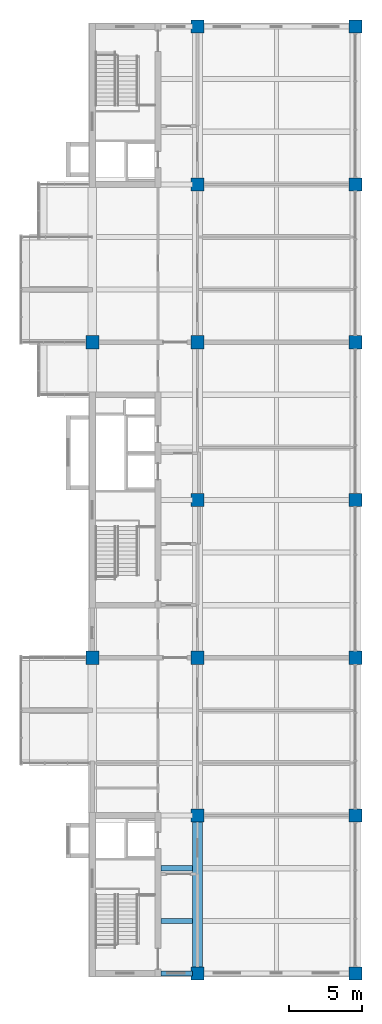
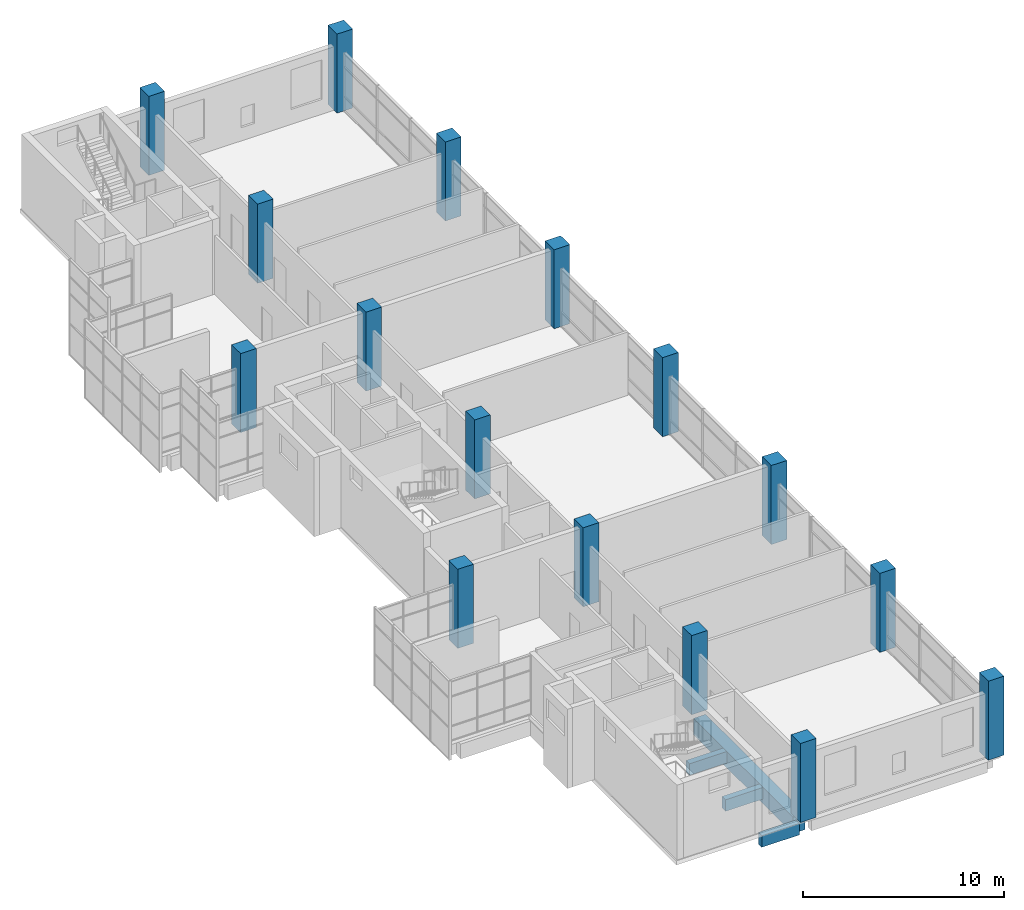
# One storey, part 1 of 15: 16 columns, 4 beams.
"""IFC4 building model written with IfcOpenShell, lengths in metres."""

import ifcopenshell
import ifcopenshell.guid

model = None  # the IFC model being written
_history = None  # IfcOwnerHistory: only IFC2X3 demands one
_inside = {}  # id of a spatial element -> (the spatial element, [elements in it])
_under = {}  # id of a project, library or spatial element -> (it, [spatial elements below it])
_declared = {}  # id of a project -> (the project, [libraries it declares])
_typed = {}  # id of a type object -> (the type object, [elements of that type])
_made_of = {}  # id of a material, layer set ... -> (it, [elements and type objects made of it])


def new_model(schema):
    """Start an empty IFC model of exactly this schema.

    Asked for "IFC4X3", IfcOpenShell would pick the latest addendum, in which some entities
    have other attributes; the version numbers below select the first issue.
    IFC2X3 requires an IfcOwnerHistory on every rooted entity: one is made here for all.
    """
    global model, _history
    if schema == "IFC4X3":
        model = ifcopenshell.file(schema_version=(4, 3, 0, 0))
    else:
        model = ifcopenshell.file(schema=schema)
    _inside.clear()
    _under.clear()
    _declared.clear()
    _typed.clear()
    _made_of.clear()
    _history = None
    if model.schema == "IFC2X3":
        org = make("IfcOrganization", Name="unknown")
        user = make(
            "IfcPersonAndOrganization",
            ThePerson=make("IfcPerson", FamilyName="unknown"),
            TheOrganization=org,
        )
        app = make(
            "IfcApplication",
            ApplicationDeveloper=org,
            Version="unknown",
            ApplicationFullName="unknown",
            ApplicationIdentifier="unknown",
        )
        _history = make(
            "IfcOwnerHistory",
            OwningUser=user,
            OwningApplication=app,
            ChangeAction="ADDED",
            CreationDate=0,
        )
    return model


def make(cls, **values):
    """One entity of the class cls with the attributes given. An attribute that is None is left unset."""
    return model.create_entity(
        cls, **{name: value for name, value in values.items() if value is not None}
    )


def rooted(cls, **values):
    """An entity with a GlobalId (a new one), such as an element, a storey or a relation."""
    return make(cls, GlobalId=ifcopenshell.guid.new(), OwnerHistory=_history, **values)


def si_unit(unit_type, name, prefix=None):
    """IfcSIUnit, for example si_unit("LENGTHUNIT", "METRE", prefix="MILLI")."""
    return make("IfcSIUnit", UnitType=unit_type, Prefix=prefix, Name=name)


def assignment(units):
    """IfcUnitAssignment: the units of a project."""
    return None if units is None else make("IfcUnitAssignment", Units=units)


def point(xyz):
    """IfcCartesianPoint."""
    return None if xyz is None else make("IfcCartesianPoint", Coordinates=xyz)


def direction(xyz):
    """IfcDirection."""
    return None if xyz is None else make("IfcDirection", DirectionRatios=xyz)


def frame(location, z_axis=None, x_axis=None):
    """IfcAxis2Placement3D, a coordinate frame: its origin and axes. An axis left out is left unset."""
    return make(
        "IfcAxis2Placement3D",
        Location=point(location),
        Axis=direction(z_axis),
        RefDirection=direction(x_axis),
    )


def frame_2d(location, x_axis=None):
    """IfcAxis2Placement2D, a coordinate frame in the plane: its origin and x axis."""
    return make(
        "IfcAxis2Placement2D", Location=point(location), RefDirection=direction(x_axis)
    )


def origin():
    """The frame at (0, 0, 0) with its axes left unset."""
    return frame((0.0, 0.0, 0.0))


def origin_2d():
    """The frame at (0, 0) in the plane with its x axis left unset."""
    return frame_2d((0.0, 0.0))


def place(relative_to, where):
    """IfcLocalPlacement: puts the frame where relative to a parent placement (None: the world)."""
    return make(
        "IfcLocalPlacement", PlacementRelTo=relative_to, RelativePlacement=where
    )


def context(
    kind, dimensions, precision=None, world=None, true_north=None, identifier=None
):
    """IfcGeometricRepresentationContext, for example the 3D "Model" context."""
    return make(
        "IfcGeometricRepresentationContext",
        ContextIdentifier=identifier,
        ContextType=kind,
        CoordinateSpaceDimension=dimensions,
        Precision=precision,
        WorldCoordinateSystem=world,
        TrueNorth=true_north,
    )


def subcontext(parent, identifier, kind, view, scale=None):
    """IfcGeometricRepresentationSubContext, for example "Body" below "Model"."""
    return make(
        "IfcGeometricRepresentationSubContext",
        ContextIdentifier=identifier,
        ContextType=kind,
        ParentContext=parent,
        TargetScale=scale,
        TargetView=view,
    )


def project(units=None, contexts=None):
    """IfcProject with its units and contexts."""
    return rooted(
        "IfcProject",
        Name="project",
        RepresentationContexts=contexts,
        UnitsInContext=assignment(units),
    )


def spatial(cls, under=None, at=None, **own):
    """A site, building, storey or space (cls), placed at a placement, below another one or the project."""
    s = rooted(cls, ObjectPlacement=at, **own)
    if under is not None:
        _under.setdefault(under.id(), (under, []))[1].append(s)
    return s


def profile(cls, at=None, kind="AREA", **sizes):
    """A parametric profile (cls). Its sizes go by their IFC names, for example OverallWidth=200.0."""
    return make(cls, ProfileType=kind, Position=at, **sizes)


def rectangle(**sizes):
    """IfcRectangleProfileDef."""
    return profile("IfcRectangleProfileDef", **sizes)


def extrude(swept, where, along, depth):
    """IfcExtrudedAreaSolid: the profile swept, set in the frame where, extruded along a direction by depth."""
    return make(
        "IfcExtrudedAreaSolid",
        SweptArea=swept,
        Position=where,
        ExtrudedDirection=direction(along),
        Depth=depth,
    )


def shape(context_of_items, identifier, shape_type, items):
    """IfcShapeRepresentation: the items that make up one representation, for example the "Body"."""
    return make(
        "IfcShapeRepresentation",
        ContextOfItems=context_of_items,
        RepresentationIdentifier=identifier,
        RepresentationType=shape_type,
        Items=items,
    )


def material(Name=None, Category=None):
    """IfcMaterial."""
    return make("IfcMaterial", Name=Name, Category=Category)


def material_profile(
    of_material, cross_section, Name=None, Category=None, Priority=None
):
    """IfcMaterialProfile: a cross section and its material."""
    return make(
        "IfcMaterialProfile",
        Name=Name,
        Material=of_material,
        Profile=cross_section,
        Priority=Priority,
        Category=Category,
    )


def profile_set(profiles, Name=None, composite=None):
    """IfcMaterialProfileSet."""
    return make(
        "IfcMaterialProfileSet",
        Name=Name,
        MaterialProfiles=profiles,
        CompositeProfile=composite,
    )


def made_of(thing, what):
    """Note that an element or type object is made of a material, layer set ...; save() writes the relation."""
    if what is not None:
        _made_of.setdefault(what.id(), (what, []))[1].append(thing)
    return thing


def type_object(cls, material=None, **own):
    """A type object (cls), such as IfcWallType, which elements share."""
    return made_of(rooted(cls, **own), material)


def element(
    cls,
    number,
    at=None,
    inside=None,
    cuts=None,
    type_object=None,
    material=None,
    context=None,
    identifier="Body",
    shape_type=None,
    held_by="IfcProductDefinitionShape",
    body=None,
    shapes=None,
    **own,
):
    """One element of the class cls, such as IfcWall. Its Tag is "e" and its number.

    at: its placement. inside: the storey or other place that contains it. cuts: it is an
    opening in that element (IfcRelVoidsElement). A single representation is given by context,
    identifier, shape_type and body (its items); several are given by shapes. held_by: the class
    of the entity that holds the representations. save() writes the other relations.
    """
    e = rooted(cls, Tag="e%d" % number, ObjectPlacement=at, **own)
    if body is not None:
        shapes = [shape(context, identifier, shape_type, body)]
    if shapes is not None:
        e.Representation = make(held_by, Representations=shapes)
    if inside is not None:
        _inside.setdefault(inside.id(), (inside, []))[1].append(e)
    if cuts is not None:
        rooted(
            "IfcRelVoidsElement", RelatingBuildingElement=cuts, RelatedOpeningElement=e
        )
    if type_object is not None:
        _typed.setdefault(type_object.id(), (type_object, []))[1].append(e)
    return made_of(e, material)


def aggregate(whole, parts):
    """IfcRelAggregates: a whole, such as a stair, and the parts it consists of."""
    return rooted("IfcRelAggregates", RelatingObject=whole, RelatedObjects=parts)


def save(model, path):
    """Write the relations noted so far, then the file.

    IfcRelAggregates (storeys below a building ...), IfcRelContainedInSpatialStructure (elements
    in a storey), IfcRelDefinesByType, IfcRelAssociatesMaterial and IfcRelDeclares: one each for
    every whole, place, type object, material and project.
    """
    for whole, parts in _under.values():
        aggregate(whole, parts)
    for where, things in _inside.values():
        rooted(
            "IfcRelContainedInSpatialStructure",
            RelatedElements=things,
            RelatingStructure=where,
        )
    for kind, things in _typed.values():
        rooted("IfcRelDefinesByType", RelatedObjects=things, RelatingType=kind)
    for what, things in _made_of.values():
        rooted("IfcRelAssociatesMaterial", RelatedObjects=things, RelatingMaterial=what)
    for by, libraries in _declared.values():
        rooted("IfcRelDeclares", RelatingContext=by, RelatedDefinitions=libraries)
    model.write(path)


model = new_model("IFC4")

# Units and contexts
model_context = context("Model", 3, precision=1e-05, world=origin(), true_north=direction((0.0, 1.0)))
body_context = subcontext(model_context, "Body", "Model", "MODEL_VIEW")
ifc_project = project(units=[si_unit("LENGTHUNIT", "METRE"), si_unit("AREAUNIT", "SQUARE_METRE"), si_unit("VOLUMEUNIT", "CUBIC_METRE"), si_unit("PLANEANGLEUNIT", "RADIAN"), si_unit("MASSUNIT", "GRAM", prefix="KILO")], contexts=[model_context])

# Site, building, storey
site_placement = place(None, origin())
site = spatial("IfcSite", under=ifc_project, at=site_placement, CompositionType="ELEMENT")
building_placement = place(site_placement, origin())
building = spatial("IfcBuilding", under=site, at=building_placement, Name="Basin Gate Institute", CompositionType="ELEMENT")
storey_placement = place(building_placement, frame((0.0, 0.0, 55.800048828125)))
storey = spatial("IfcBuildingStorey", under=building, at=storey_placement, Name="L11", CompositionType="ELEMENT", Elevation=55.800048828125)

# Columns
ifc_material_1 = material(Name="Concrete 50 MPa", Category="concrete")
ifc_material_profile_1 = material_profile(ifc_material_1, rectangle(XDim=0.89990234375, YDim=0.89990234375, at=origin_2d()), Name="Column C3 900 x 900")
ifc_profile_set_1 = profile_set([ifc_material_profile_1], Name="Concrete 50 MPa")
column_type = type_object("IfcColumnType", Name="Column C3 R120", PredefinedType="COLUMN", material=ifc_profile_set_1)
for number, where, z_axis, x_axis, name in (
    (1, (61.199951171875, 56.699951171875, 0.0), (0.0, 0.0, 1.0), (1.0, 0.0, 0.0), "COL/L11/4C"),
    (2, (61.199951171875, 78.300048828125, 0.0), (0.0, 0.0, 1.0), (1.0, 0.0, 0.0), "COL/L11/4E"),
    (3, (68.39990234375, 35.10009765625, 0.0), (0.0, 0.0, 1.0), (1.0, 0.0, 0.0), "COL/L11/5A"),
    (4, (68.39990234375, 45.89990234375, 0.0), (0.0, 0.0, 1.0), (1.0, 0.0, 0.0), "COL/L11/5B"),
    (5, (68.39990234375, 56.699951171875, 0.0), (0.0, 0.0, 1.0), (1.0, 0.0, 0.0), "COL/L11/5C"),
    (6, (68.39990234375, 67.5, 0.0), (0.0, 0.0, 1.0), (1.0, 0.0, 0.0), "COL/L11/5D"),
    (7, (68.39990234375, 78.300048828125, 0.0), (0.0, 0.0, 1.0), (1.0, 0.0, 0.0), "COL/L11/5E"),
    (8, (68.39990234375, 89.10009765625, 0.0), (0.0, 0.0, 1.0), (1.0, 0.0, 0.0), "COL/L11/5F"),
    (9, (68.39990234375, 99.89990234375, 0.0), (0.0, 0.0, 1.0), (1.0, 0.0, 0.0), "COL/L11/5G"),
    (10, (79.199951171875, 35.10009765625, 0.0), (0.0, 0.0, 1.0), (1.0, 0.0, 0.0), "COL/L11/6A"),
    (11, (79.199951171875, 45.89990234375, 0.0), (0.0, 0.0, 1.0), (1.0, 0.0, 0.0), "COL/L11/6B"),
    (12, (79.199951171875, 56.699951171875, 0.0), (0.0, 0.0, 1.0), (1.0, 0.0, 0.0), "COL/L11/6C"),
    (13, (79.199951171875, 67.5, 0.0), (0.0, 0.0, 1.0), (1.0, 0.0, 0.0), "COL/L11/6D"),
    (14, (79.199951171875, 78.300048828125, 0.0), (0.0, 0.0, 1.0), (1.0, 0.0, 0.0), "COL/L11/6E"),
    (15, (79.199951171875, 89.10009765625, 0.0), (0.0, 0.0, 1.0), (1.0, 0.0, 0.0), "COL/L11/6F"),
    (16, (79.199951171875, 99.89990234375, 0.0), (0.0, 0.0, 1.0), (1.0, 0.0, 0.0), "COL/L11/6G"),
):
    element("IfcColumn", number, at=place(storey_placement, frame(where, z_axis=z_axis, x_axis=x_axis)), inside=storey, type_object=column_type, material=ifc_profile_set_1, Name=name, PredefinedType="COLUMN", context=body_context, shape_type="SweptSolid", body=[
        extrude(rectangle(XDim=0.89990234375, YDim=0.89990234375, at=origin_2d()), origin(), (0.0, 0.0, 1.0), 4.800048828125),
    ])

# Beams
ifc_material_2 = material(Name="Concrete 40 MPa", Category="concrete")
ifc_material_profile_2 = material_profile(ifc_material_2, rectangle(XDim=0.35009765625, YDim=0.699951171875, at=origin_2d()), Name="Beam B1 350 x 700")
ifc_profile_set_2 = profile_set([ifc_material_profile_2], Name="Concrete 40 MPa")
beam_type_1 = type_object("IfcBeamType", Name="Beam B1 R120", PredefinedType="BEAM", material=ifc_profile_set_2)
for number, where, z_axis, x_axis, name in (
    (17, (65.89990234375, 35.10009765625, -0.60009765625), (1.0, 0.0, 0.0), (0.0, 1.0, 0.0), "BEAM/L11/W/CORR/01"),
    (18, (65.89990234375, 38.699951171875, -0.60009765625), (1.0, 0.0, 0.0), (0.0, 1.0, 0.0), "BEAM/L11/W/CORR/02"),
    (19, (65.89990234375, 42.300048828125, -0.60009765625), (1.0, 0.0, 0.0), (0.0, 1.0, 0.0), "BEAM/L11/W/CORR/03"),
):
    element("IfcBeam", number, at=place(storey_placement, frame(where, z_axis=z_axis, x_axis=x_axis)), inside=storey, type_object=beam_type_1, material=ifc_profile_set_2, Name=name, PredefinedType="BEAM", context=body_context, shape_type="SweptSolid", body=[
        extrude(rectangle(XDim=0.35009765625, YDim=0.699951171875, at=origin_2d()), origin(), (0.0, 0.0, 1.0), 2.150146484375),
    ])
ifc_material_3 = material(Name="Concrete 50 MPa", Category="concrete")
ifc_material_profile_3 = material_profile(ifc_material_3, rectangle(XDim=0.699951171875, YDim=1.0, at=origin_2d()), Name="Girder G1 700 x 1000")
ifc_profile_set_3 = profile_set([ifc_material_profile_3], Name="Concrete 50 MPa")
beam_type_2 = type_object("IfcBeamType", Name="Girder G1 R120", PredefinedType="BEAM", material=ifc_profile_set_3)
beam_placement = place(storey_placement, frame((68.39990234375, 35.550048828125, -0.75), z_axis=(0.0, 1.0, 0.0), x_axis=(-1.0, 0.0, 0.0)))
element("IfcBeam", 20, at=beam_placement, inside=storey, type_object=beam_type_2, material=ifc_profile_set_3, Name="GIR/L11/W5/1", PredefinedType="BEAM", context=body_context, shape_type="SweptSolid", body=[
    extrude(rectangle(XDim=0.699951171875, YDim=1.0, at=origin_2d()), origin(), (0.0, 0.0, 1.0), 9.89990234375),
])

save(model, "model.ifc")
